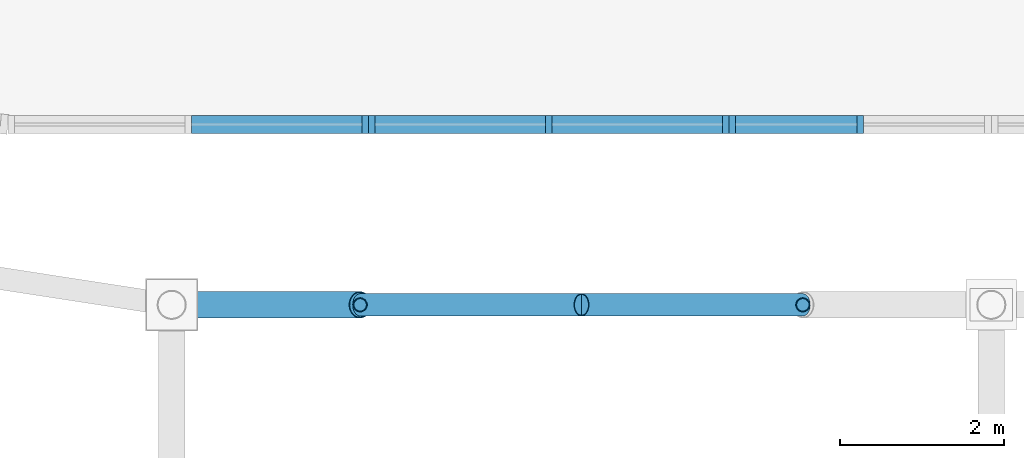
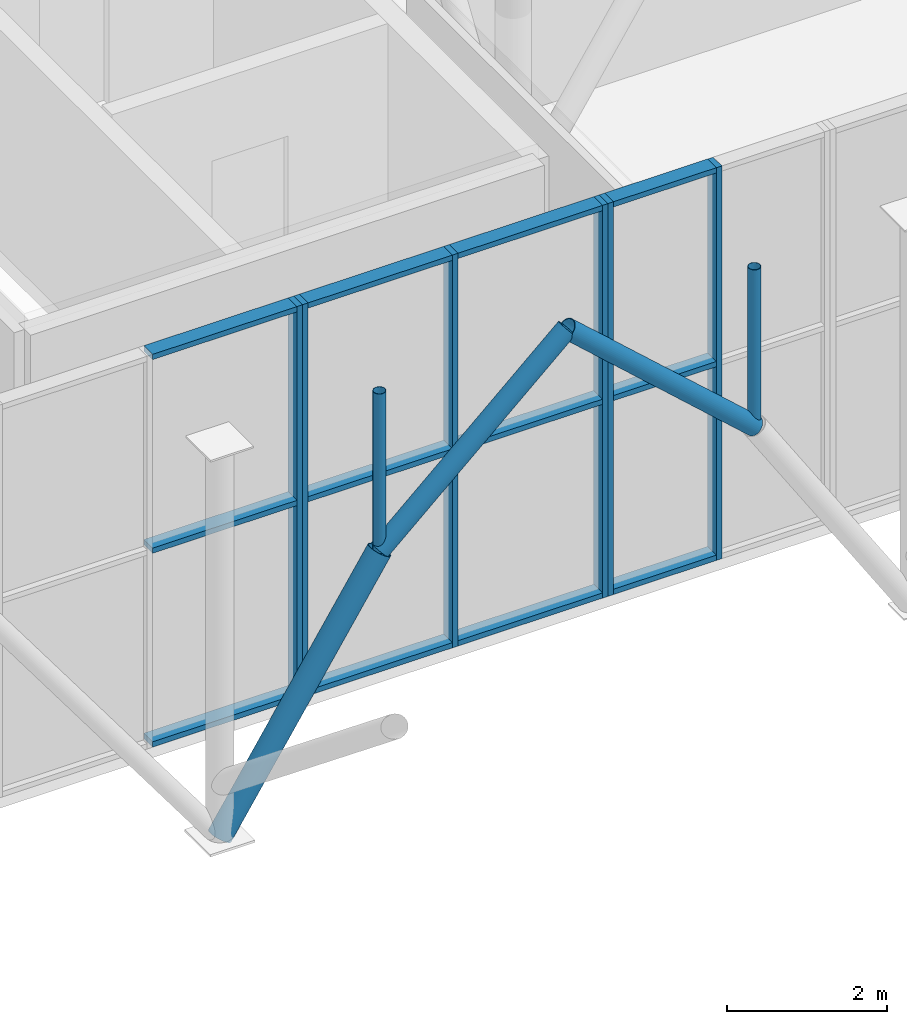
# One storey, part 29 of 109: 23 members, 3 elements without a shape of their own.
"""IFC4 building model written with IfcOpenShell, lengths in metres."""

from ifc_helpers import new_model, si_unit, derived_unit, direction, frame, origin, origin_2d_with_axis, place, context, subcontext, project, spatial, rectangle, hollow_circle, extrude, material, material_profile, profile_set, type_object, element, aggregate, save


model = new_model("IFC4")

# Units and contexts
model_context = context("Model", 3, precision=1e-05, world=origin(), true_north=direction((0.0, 1.0)))
body_context = subcontext(model_context, "Body", "Model", "MODEL_VIEW")
ifc_project = project(units=[si_unit("LENGTHUNIT", "METRE"), si_unit("AREAUNIT", "SQUARE_METRE"), si_unit("VOLUMEUNIT", "CUBIC_METRE"), si_unit("PLANEANGLEUNIT", "RADIAN"), si_unit("MASSUNIT", "GRAM", prefix="KILO"), derived_unit("THERMALTRANSMITTANCEUNIT", [(si_unit("POWERUNIT", "WATT"), 1), (si_unit("LENGTHUNIT", "METRE"), -2), (si_unit("THERMODYNAMICTEMPERATUREUNIT", "KELVIN"), -1)])], contexts=[model_context])

# Site, building, storey
site_placement = place(None, origin())
site = spatial("IfcSite", under=ifc_project, at=site_placement, CompositionType="ELEMENT")
building_placement = place(site_placement, origin())
building = spatial("IfcBuilding", under=site, at=building_placement, Name="Cinnabar Yard Market Hall", CompositionType="ELEMENT")
storey_placement = place(building_placement, frame((0.0, 0.0, 8.39990234375)))
storey = spatial("IfcBuildingStorey", under=building, at=storey_placement, Name="L02", CompositionType="ELEMENT", Elevation=8.39990234375)

# Curtain wall, member
ifc_material_1 = material(Name="Anodised bronze aluminium and low-E glass", Category="aluminium")
curtain_wall_type_1 = type_object("IfcCurtainWallType", Name="CW-CWH044x60", PredefinedType="NOTDEFINED", material=ifc_material_1)
curtain_wall_1_placement = place(storey_placement, origin())
curtain_wall_1 = element("IfcCurtainWall", 1, at=curtain_wall_1_placement, inside=storey, type_object=curtain_wall_type_1, Name="Market Hall South Upper Clerestory B1A", PredefinedType="NOTDEFINED")
ifc_material_2 = material(Name="Anodised bronze aluminium", Category="aluminium")
ifc_material_profile_1 = material_profile(ifc_material_2, rectangle(XDim=0.219970703125, YDim=0.080078125, at=origin_2d_with_axis()), Name="MUL-CWH")
ifc_profile_set_1 = profile_set([ifc_material_profile_1], Name="Anodised bronze aluminium")
member_type_1 = type_object("IfcMemberType", Name="CWM-CWH", PredefinedType="MULLION", material=ifc_profile_set_1)
member_1_placement = place(storey_placement, frame((88.360107421875, 16.199951171875, 0.0), z_axis=(0.0, 0.0, 1.0), x_axis=(0.0, 1.0, 0.0)))
member_1 = element("IfcMember", 2, at=member_1_placement, type_object=member_type_1, Name="CWH044x60 mullion 3", PredefinedType="MULLION", context=body_context, shape_type="SweptSolid", body=[
    extrude(rectangle(XDim=0.219970703125, YDim=0.080078125, at=origin_2d_with_axis()), origin(), (0.0, 0.0, 1.0), 5.97998046875),
])

# Curtain wall, members
curtain_wall_2_placement = place(storey_placement, origin())
curtain_wall_2 = element("IfcCurtainWall", 3, at=curtain_wall_2_placement, inside=storey, type_object=curtain_wall_type_1, Name="Market Hall South Upper Clerestory PTW", PredefinedType="NOTDEFINED")
member_2_placement = place(storey_placement, frame((88.43994140625, 16.199951171875, 0.0), z_axis=(0.0, 0.0, 1.0), x_axis=(0.0, 1.0, 0.0)))
member_2 = element("IfcMember", 4, at=member_2_placement, type_object=member_type_1, Name="CWH044x60 mullion 1", PredefinedType="MULLION", context=body_context, shape_type="SweptSolid", body=[
    extrude(rectangle(XDim=0.219970703125, YDim=0.080078125, at=origin_2d_with_axis()), origin(), (0.0, 0.0, 1.0), 5.97998046875),
])
member_3_placement = place(storey_placement, frame((90.60009765625, 16.199951171875, 0.0), z_axis=(0.0, 0.0, 1.0), x_axis=(0.0, 1.0, 0.0)))
member_3 = element("IfcMember", 5, at=member_3_placement, type_object=member_type_1, Name="CWH044x60 mullion 2", PredefinedType="MULLION", context=body_context, shape_type="SweptSolid", body=[
    extrude(rectangle(XDim=0.219970703125, YDim=0.080078125, at=origin_2d_with_axis()), origin(), (0.0, 0.0, 1.0), 5.97998046875),
])
member_4_placement = place(storey_placement, frame((92.760009765625, 16.199951171875, 0.0), z_axis=(0.0, 0.0, 1.0), x_axis=(0.0, 1.0, 0.0)))
member_4 = element("IfcMember", 6, at=member_4_placement, type_object=member_type_1, Name="CWH044x60 mullion 3", PredefinedType="MULLION", context=body_context, shape_type="SweptSolid", body=[
    extrude(rectangle(XDim=0.219970703125, YDim=0.080078125, at=origin_2d_with_axis()), origin(), (0.0, 0.0, 1.0), 5.97998046875),
])

curtain_wall_type_2 = type_object("IfcCurtainWallType", Name="CW-CWH032x60", PredefinedType="NOTDEFINED", material=ifc_material_1)
curtain_wall_3_placement = place(storey_placement, origin())
curtain_wall_3 = element("IfcCurtainWall", 7, at=curtain_wall_3_placement, inside=storey, type_object=curtain_wall_type_2, Name="Market Hall South Upper Clerestory B1B", PredefinedType="NOTDEFINED")
member_5_placement = place(storey_placement, frame((92.840087890625, 16.199951171875, 0.0), z_axis=(0.0, 0.0, 1.0), x_axis=(0.0, 1.0, 0.0)))
member_5 = element("IfcMember", 8, at=member_5_placement, type_object=member_type_1, Name="CWH032x60 mullion 1", PredefinedType="MULLION", context=body_context, shape_type="SweptSolid", body=[
    extrude(rectangle(XDim=0.219970703125, YDim=0.080078125, at=origin_2d_with_axis()), origin(), (0.0, 0.0, 1.0), 5.97998046875),
])
member_6_placement = place(storey_placement, frame((94.39990234375, 16.199951171875, 0.0), z_axis=(0.0, 0.0, 1.0), x_axis=(0.0, 1.0, 0.0)))
member_6 = element("IfcMember", 9, at=member_6_placement, type_object=member_type_1, Name="CWH032x60 mullion 2", PredefinedType="MULLION", context=body_context, shape_type="SweptSolid", body=[
    extrude(rectangle(XDim=0.219970703125, YDim=0.080078125, at=origin_2d_with_axis()), origin(), (0.0, 0.0, 1.0), 5.97998046875),
])

# Member
ifc_material_profile_2 = material_profile(ifc_material_2, rectangle(XDim=0.219970703125, YDim=0.080078125, at=origin_2d_with_axis()), Name="TRN-CWH")
ifc_profile_set_2 = profile_set([ifc_material_profile_2], Name="Anodised bronze aluminium")
member_type_2 = type_object("IfcMemberType", Name="CWT-CWH", PredefinedType="USERDEFINED", material=ifc_profile_set_2)
member_7_placement = place(storey_placement, frame((86.239990234375, 16.199951171875, 0.0400390625), z_axis=(1.0, 0.0, 0.0), x_axis=(0.0, 1.0, 0.0)))
member_7 = element("IfcMember", 10, at=member_7_placement, type_object=member_type_2, Name="CWH044x60 transom 2.1", ObjectType="TRANSOM", PredefinedType="USERDEFINED", context=body_context, shape_type="SweptSolid", body=[
    extrude(rectangle(XDim=0.219970703125, YDim=0.080078125, at=origin_2d_with_axis()), origin(), (0.0, 0.0, 1.0), 2.080078125),
])

member_8_placement = place(storey_placement, frame((86.239990234375, 16.199951171875, 2.989990234375), z_axis=(1.0, 0.0, 0.0), x_axis=(0.0, 1.0, 0.0)))
member_8 = element("IfcMember", 11, at=member_8_placement, type_object=member_type_2, Name="CWH044x60 transom 2.2", ObjectType="TRANSOM", PredefinedType="USERDEFINED", context=body_context, shape_type="SweptSolid", body=[
    extrude(rectangle(XDim=0.219970703125, YDim=0.080078125, at=origin_2d_with_axis()), origin(), (0.0, 0.0, 1.0), 2.080078125),
])

member_9_placement = place(storey_placement, frame((86.239990234375, 16.199951171875, 5.940185546875), z_axis=(1.0, 0.0, 0.0), x_axis=(0.0, 1.0, 0.0)))
member_9 = element("IfcMember", 12, at=member_9_placement, type_object=member_type_2, Name="CWH044x60 transom 2.3", ObjectType="TRANSOM", PredefinedType="USERDEFINED", context=body_context, shape_type="SweptSolid", body=[
    extrude(rectangle(XDim=0.219970703125, YDim=0.080078125, at=origin_2d_with_axis()), origin(), (0.0, 0.0, 1.0), 2.080078125),
])

aggregate(curtain_wall_1, [member_1, member_7, member_8, member_9])

member_10_placement = place(storey_placement, frame((88.47998046875, 16.199951171875, 0.0400390625), z_axis=(1.0, 0.0, 0.0), x_axis=(0.0, 1.0, 0.0)))
member_10 = element("IfcMember", 13, at=member_10_placement, type_object=member_type_2, Name="CWH044x60 transom 1.1", ObjectType="TRANSOM", PredefinedType="USERDEFINED", context=body_context, shape_type="SweptSolid", body=[
    extrude(rectangle(XDim=0.219970703125, YDim=0.080078125, at=origin_2d_with_axis()), origin(), (0.0, 0.0, 1.0), 2.080078125),
])

member_11_placement = place(storey_placement, frame((88.47998046875, 16.199951171875, 2.989990234375), z_axis=(1.0, 0.0, 0.0), x_axis=(0.0, 1.0, 0.0)))
member_11 = element("IfcMember", 14, at=member_11_placement, type_object=member_type_2, Name="CWH044x60 transom 1.2", ObjectType="TRANSOM", PredefinedType="USERDEFINED", context=body_context, shape_type="SweptSolid", body=[
    extrude(rectangle(XDim=0.219970703125, YDim=0.080078125, at=origin_2d_with_axis()), origin(), (0.0, 0.0, 1.0), 2.080078125),
])

member_12_placement = place(storey_placement, frame((88.47998046875, 16.199951171875, 5.940185546875), z_axis=(1.0, 0.0, 0.0), x_axis=(0.0, 1.0, 0.0)))
member_12 = element("IfcMember", 15, at=member_12_placement, type_object=member_type_2, Name="CWH044x60 transom 1.3", ObjectType="TRANSOM", PredefinedType="USERDEFINED", context=body_context, shape_type="SweptSolid", body=[
    extrude(rectangle(XDim=0.219970703125, YDim=0.080078125, at=origin_2d_with_axis()), origin(), (0.0, 0.0, 1.0), 2.080078125),
])

member_13_placement = place(storey_placement, frame((90.639892578125, 16.199951171875, 0.0400390625), z_axis=(1.0, 0.0, 0.0), x_axis=(0.0, 1.0, 0.0)))
member_13 = element("IfcMember", 16, at=member_13_placement, type_object=member_type_2, Name="CWH044x60 transom 2.1", ObjectType="TRANSOM", PredefinedType="USERDEFINED", context=body_context, shape_type="SweptSolid", body=[
    extrude(rectangle(XDim=0.219970703125, YDim=0.080078125, at=origin_2d_with_axis()), origin(), (0.0, 0.0, 1.0), 2.080078125),
])

member_14_placement = place(storey_placement, frame((90.639892578125, 16.199951171875, 2.989990234375), z_axis=(1.0, 0.0, 0.0), x_axis=(0.0, 1.0, 0.0)))
member_14 = element("IfcMember", 17, at=member_14_placement, type_object=member_type_2, Name="CWH044x60 transom 2.2", ObjectType="TRANSOM", PredefinedType="USERDEFINED", context=body_context, shape_type="SweptSolid", body=[
    extrude(rectangle(XDim=0.219970703125, YDim=0.080078125, at=origin_2d_with_axis()), origin(), (0.0, 0.0, 1.0), 2.080078125),
])

member_15_placement = place(storey_placement, frame((90.639892578125, 16.199951171875, 5.940185546875), z_axis=(1.0, 0.0, 0.0), x_axis=(0.0, 1.0, 0.0)))
member_15 = element("IfcMember", 18, at=member_15_placement, type_object=member_type_2, Name="CWH044x60 transom 2.3", ObjectType="TRANSOM", PredefinedType="USERDEFINED", context=body_context, shape_type="SweptSolid", body=[
    extrude(rectangle(XDim=0.219970703125, YDim=0.080078125, at=origin_2d_with_axis()), origin(), (0.0, 0.0, 1.0), 2.080078125),
])

aggregate(curtain_wall_2, [member_2, member_3, member_4, member_10, member_11, member_12, member_13, member_14, member_15])

member_16_placement = place(storey_placement, frame((92.8798828125, 16.199951171875, 0.0400390625), z_axis=(1.0, 0.0, 0.0), x_axis=(0.0, 1.0, 0.0)))
member_16 = element("IfcMember", 19, at=member_16_placement, type_object=member_type_2, Name="CWH032x60 transom 1.1", ObjectType="TRANSOM", PredefinedType="USERDEFINED", context=body_context, shape_type="SweptSolid", body=[
    extrude(rectangle(XDim=0.219970703125, YDim=0.080078125, at=origin_2d_with_axis()), origin(), (0.0, 0.0, 1.0), 1.480224609375),
])

member_17_placement = place(storey_placement, frame((92.8798828125, 16.199951171875, 2.989990234375), z_axis=(1.0, 0.0, 0.0), x_axis=(0.0, 1.0, 0.0)))
member_17 = element("IfcMember", 20, at=member_17_placement, type_object=member_type_2, Name="CWH032x60 transom 1.2", ObjectType="TRANSOM", PredefinedType="USERDEFINED", context=body_context, shape_type="SweptSolid", body=[
    extrude(rectangle(XDim=0.219970703125, YDim=0.080078125, at=origin_2d_with_axis()), origin(), (0.0, 0.0, 1.0), 1.480224609375),
])

member_18_placement = place(storey_placement, frame((92.8798828125, 16.199951171875, 5.940185546875), z_axis=(1.0, 0.0, 0.0), x_axis=(0.0, 1.0, 0.0)))
member_18 = element("IfcMember", 21, at=member_18_placement, type_object=member_type_2, Name="CWH032x60 transom 1.3", ObjectType="TRANSOM", PredefinedType="USERDEFINED", context=body_context, shape_type="SweptSolid", body=[
    extrude(rectangle(XDim=0.219970703125, YDim=0.080078125, at=origin_2d_with_axis()), origin(), (0.0, 0.0, 1.0), 1.480224609375),
])

aggregate(curtain_wall_3, [member_5, member_6, member_16, member_17, member_18])

# Members
ifc_material_3 = material(Name="Spotted-gum glulam-clad steel Grade 350 (350 MPa)", Category="steel")
ifc_material_profile_3 = material_profile(ifc_material_3, hollow_circle(Radius=0.136474609375, WallThickness=0.00927734375, at=origin_2d_with_axis()), Name="273.1x9.3CHS")
ifc_profile_set_3 = profile_set([ifc_material_profile_3], Name="Spotted-gum glulam-clad steel Grade 350 (350 MPa)")
member_type_3 = type_object("IfcMemberType", Name="MB-AR01E", PredefinedType="USERDEFINED", material=ifc_profile_set_3)
for number, where, z_axis, x_axis, name in (
    (22, (88.300048828125, 14.0, 3.550048828125), (0.743297488271, 0.0, 0.668961018244), (0.0, 1.0, 0.0), "Pointed Arch Rib 0145"),
    (23, (93.699951171875, 14.0, 3.550048828125), (-0.743297488271, 0.0, 0.668961018244), (0.0, -1.0, 0.0), "Pointed Arch Rib 0148"),
):
    element("IfcMember", number, at=place(storey_placement, frame(where, z_axis=z_axis, x_axis=x_axis)), inside=storey, type_object=member_type_3, Name=name, ObjectType="ARCH RIB", PredefinedType="USERDEFINED", context=body_context, shape_type="SweptSolid", body=[
        extrude(hollow_circle(Radius=0.136474609375, WallThickness=0.00927734375, at=origin_2d_with_axis()), origin(), (0.0, 0.0, 1.0), 3.63232421875),
    ])
ifc_material_profile_4 = material_profile(ifc_material_3, hollow_circle(Radius=0.161865234375, WallThickness=0.009521484375, at=origin_2d_with_axis()), Name="323.9x9.5CHS")
ifc_profile_set_4 = profile_set([ifc_material_profile_4], Name="Spotted-gum glulam-clad steel Grade 350 (350 MPa)")
member_type_4 = type_object("IfcMemberType", Name="MB-ST01E", PredefinedType="STRUT", material=ifc_profile_set_4)
member_19_placement = place(storey_placement, frame((86.0, 14.0, 0.0), z_axis=(0.543744165176, 0.0, 0.839251024925), x_axis=(0.0, 1.0, 0.0)))
element("IfcMember", 24, at=member_19_placement, inside=storey, type_object=member_type_4, Name="Curved Branch Arm Lower 0145", PredefinedType="STRUT", context=body_context, shape_type="SweptSolid", body=[
    extrude(hollow_circle(Radius=0.161865234375, WallThickness=0.009521484375, at=origin_2d_with_axis()), origin(), (0.0, 0.0, 1.0), 4.22998046875),
])
ifc_material_4 = material(Name="Cold-formed steel C350L0", Category="steel")
ifc_material_profile_5 = material_profile(ifc_material_4, hollow_circle(Radius=0.084228515625, WallThickness=0.00634765625, at=origin_2d_with_axis()), Name="168.3x6.4CHS")
ifc_profile_set_5 = profile_set([ifc_material_profile_5], Name="Cold-formed steel C350L0")
member_type_5 = type_object("IfcMemberType", Name="MB-WB01E", PredefinedType="STRUT", material=ifc_profile_set_5)
for number, where, z_axis, x_axis, name in (
    (25, (88.300048828125, 14.0, 3.550048828125), (0.0, 0.0, 1.0), (1.0, 0.0, 0.0), "Arch Spandrel Post 0145"),
    (26, (93.699951171875, 14.0, 3.550048828125), (0.0, 0.0, 1.0), (1.0, 0.0, 0.0), "Arch Spandrel Post 0148"),
):
    element("IfcMember", number, at=place(storey_placement, frame(where, z_axis=z_axis, x_axis=x_axis)), inside=storey, type_object=member_type_5, Name=name, PredefinedType="STRUT", context=body_context, shape_type="SweptSolid", body=[
        extrude(hollow_circle(Radius=0.084228515625, WallThickness=0.00634765625, at=origin_2d_with_axis()), origin(), (0.0, 0.0, 1.0), 2.429931640625),
    ])

save(model, "model.ifc")
